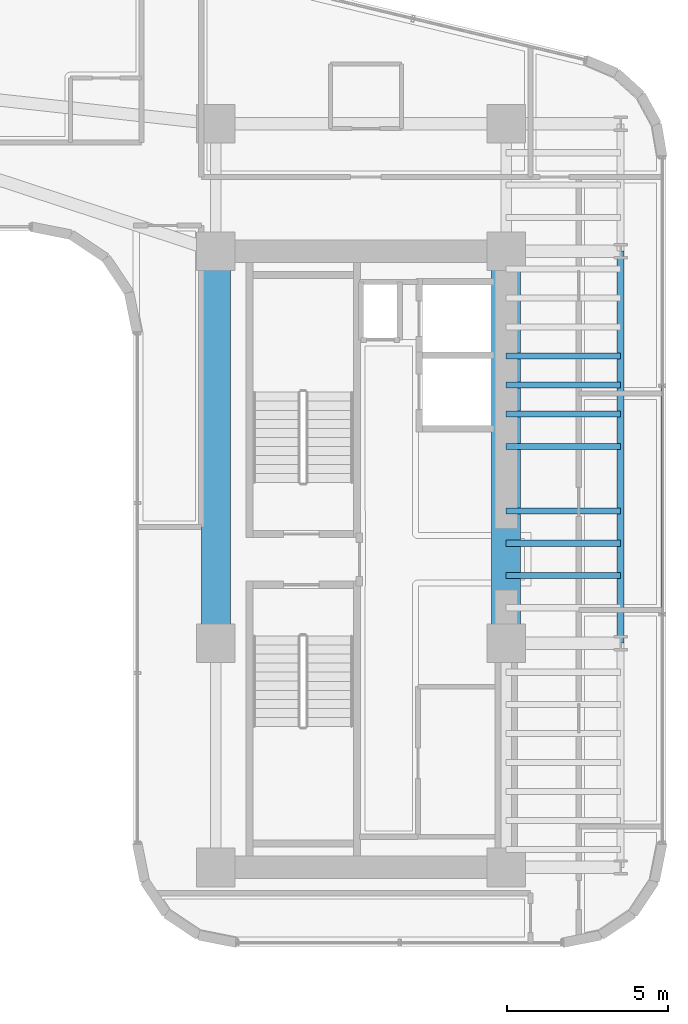
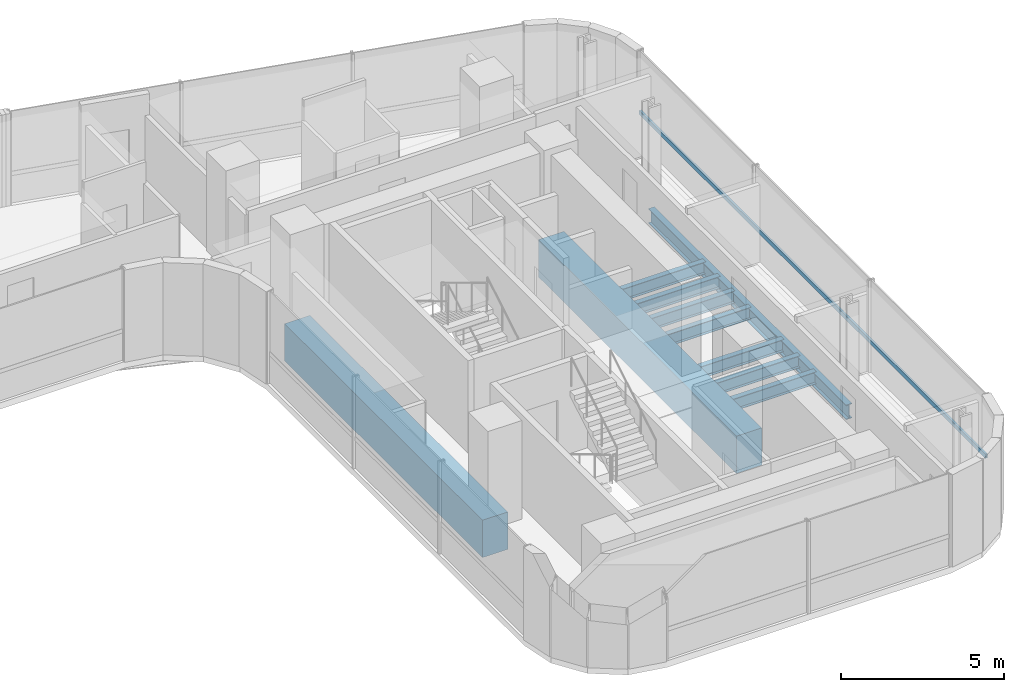
# One storey, part 16 of 35: 10 beams, 1 member, 1 element without a shape of its own.
"""IFC4 building model written with IfcOpenShell, lengths in metres."""

from ifc_helpers import new_model, si_unit, direction, frame, origin, origin_2d, place, context, subcontext, project, spatial, rectangle, hollow_rectangle, i_section, extrude, source, transform, mapped, material, material_profile, profile_set, type_object, element, aggregate, save


model = new_model("IFC4")

# Units and contexts
model_context = context("Model", 3, precision=1e-05, world=origin(), true_north=direction((0.0, 1.0)))
body_context = subcontext(model_context, "Body", "Model", "MODEL_VIEW")
ifc_project = project(units=[si_unit("LENGTHUNIT", "METRE"), si_unit("AREAUNIT", "SQUARE_METRE"), si_unit("VOLUMEUNIT", "CUBIC_METRE"), si_unit("PLANEANGLEUNIT", "RADIAN"), si_unit("MASSUNIT", "GRAM", prefix="KILO")], contexts=[model_context])

# Site, building, storey
site_placement = place(None, origin())
site = spatial("IfcSite", under=ifc_project, at=site_placement, CompositionType="ELEMENT")
building_placement = place(site_placement, origin())
building = spatial("IfcBuilding", under=site, at=building_placement, Name="Valdorenza Pilgrim Sanctuary Tower", CompositionType="ELEMENT")
storey_placement = place(building_placement, frame((0.0, 0.0, 113.10009765625)))
storey = spatial("IfcBuildingStorey", under=building, at=storey_placement, Name="L28", CompositionType="ELEMENT", Elevation=113.10009765625)

# Beams
ifc_material_1 = material(Name="Concrete C60/75", Category="concrete")
ifc_material_profile_1 = material_profile(ifc_material_1, rectangle(XDim=0.89990234375, YDim=1.39990234375, at=origin_2d()), Name="RC 1400x900")
ifc_profile_set_1 = profile_set([ifc_material_profile_1], Name="Concrete C60/75")
beam_type_1 = type_object("IfcBeamType", Name="STR-BM-LNT-1400", PredefinedType="LINTEL", material=ifc_profile_set_1)
shared_shape_1 = source(origin(), body_context, "Body", "SweptSolid", [
    extrude(rectangle(XDim=0.89990234375, YDim=1.39990234375, at=origin_2d()), origin(), (0.0, 0.0, 1.0), 12.150146484375),
])
for number, where, z_axis, x_axis, name in (
    (1, (15.85009765625, -2.60009765625, -0.739990234375), (0.0, 1.0, 0.0), (-1.0, 0.0, 0.0), "L28 Core B West Coupling Lintel Girder"),
    (2, (24.85009765625, -2.60009765625, -0.739990234375), (0.0, 1.0, 0.0), (-1.0, 0.0, 0.0), "L28 Core B East Coupling Lintel Girder"),
):
    element("IfcBeam", number, at=place(storey_placement, frame(where, z_axis=z_axis, x_axis=x_axis)), inside=storey, type_object=beam_type_1, Name=name, PredefinedType="LINTEL", context=body_context, shape_type="MappedRepresentation", body=[
        mapped(shared_shape_1, transform((0.0, 0.0, 0.0), x_axis=(1.0, 0.0, 0.0), y_axis=(0.0, 1.0, 0.0), z_axis=(0.0, 0.0, 1.0), scale=1.0)),
    ])
ifc_material_2 = material(Name="Steel ASTM A992 Grade 50", Category="steel")
ifc_material_profile_2 = material_profile(ifc_material_2, i_section(OverallWidth=0.214111328125, OverallDepth=0.549072265625, WebThickness=0.0146484375, FlangeThickness=0.023681640625, at=origin_2d()), Name="W21X93")
ifc_profile_set_2 = profile_set([ifc_material_profile_2], Name="Steel ASTM A992 Grade 50")
beam_type_2 = type_object("IfcBeamType", Name="STR-BM-SPN-W21A", PredefinedType="SPANDREL", material=ifc_profile_set_2)
shared_shape_2 = source(origin(), body_context, "Body", "SweptSolid", [
    extrude(i_section(OverallWidth=0.214111328125, OverallDepth=0.549072265625, WebThickness=0.0146484375, FlangeThickness=0.023681640625, at=origin_2d()), origin(), (0.0, 0.0, 1.0), 12.150146484375),
])
beam_placement = place(storey_placement, frame((28.39990234375, -2.60009765625, -0.5146484375), z_axis=(0.0, 1.0, 0.0), x_axis=(-1.0, 0.0, 0.0)))
element("IfcBeam", 3, at=beam_placement, inside=storey, type_object=beam_type_2, Name="L28 Spandrel Beam WB-E-M0N1", PredefinedType="SPANDREL", context=body_context, shape_type="MappedRepresentation", body=[
    mapped(shared_shape_2, transform((0.0, 0.0, 0.0), x_axis=(1.0, 0.0, 0.0), y_axis=(0.0, 1.0, 0.0), z_axis=(0.0, 0.0, 1.0), scale=1.0)),
])
ifc_material_profile_3 = material_profile(ifc_material_2, i_section(OverallWidth=0.19091796875, OverallDepth=0.45703125, WebThickness=0.009033203125, FlangeThickness=0.014404296875, at=origin_2d()), Name="W18X50")
ifc_profile_set_3 = profile_set([ifc_material_profile_3], Name="Steel ASTM A992 Grade 50")
beam_type_3 = type_object("IfcBeamType", Name="STR-BM-JST-W18B", PredefinedType="JOIST", material=ifc_profile_set_3)
shared_shape_3 = source(origin(), body_context, "Body", "SweptSolid", [
    extrude(i_section(OverallWidth=0.19091796875, OverallDepth=0.45703125, WebThickness=0.009033203125, FlangeThickness=0.014404296875, at=origin_2d()), origin(), (0.0, 0.0, 1.0), 3.5498046875),
])
for number, where, z_axis, x_axis, name in (
    (4, (24.85009765625, -0.5, -0.468505859375), (1.0, 0.0, 0.0), (0.0, 1.0, 0.0), "L28 Composite Floor Joist JST-WB-9"),
    (5, (24.85009765625, 0.5, -0.468505859375), (1.0, 0.0, 0.0), (0.0, 1.0, 0.0), "L28 Composite Floor Joist JST-WB-10"),
    (6, (24.85009765625, 1.5, -0.468505859375), (1.0, 0.0, 0.0), (0.0, 1.0, 0.0), "L28 Composite Floor Joist JST-WB-11"),
    (7, (24.85009765625, 3.5, -0.468505859375), (1.0, 0.0, 0.0), (0.0, 1.0, 0.0), "L28 Composite Floor Joist JST-WB-12"),
    (8, (24.85009765625, 4.5, -0.468505859375), (1.0, 0.0, 0.0), (0.0, 1.0, 0.0), "L28 Composite Floor Joist JST-WB-13"),
    (9, (24.85009765625, 5.39990234375, -0.468505859375), (1.0, 0.0, 0.0), (0.0, 1.0, 0.0), "L28 Composite Floor Joist JST-WB-14"),
    (10, (24.85009765625, 6.300048828125, -0.468505859375), (1.0, 0.0, 0.0), (0.0, 1.0, 0.0), "L28 Composite Floor Joist JST-WB-15"),
):
    element("IfcBeam", number, at=place(storey_placement, frame(where, z_axis=z_axis, x_axis=x_axis)), inside=storey, type_object=beam_type_3, Name=name, PredefinedType="JOIST", context=body_context, shape_type="MappedRepresentation", body=[
        mapped(shared_shape_3, transform((0.0, 0.0, 0.0), x_axis=(1.0, 0.0, 0.0), y_axis=(0.0, 1.0, 0.0), z_axis=(0.0, 0.0, 1.0), scale=1.0)),
    ])

# Curtain wall, member
ifc_material_3 = material(Name="Curtain-wall IGU glazing", Category="glass")
curtain_wall_type = type_object("IfcCurtainWallType", Name="CW-SYS-03", PredefinedType="NOTDEFINED", material=ifc_material_3)
curtain_wall_placement = place(storey_placement, origin())
curtain_wall = element("IfcCurtainWall", 11, at=curtain_wall_placement, inside=storey, type_object=curtain_wall_type, Name="L28 Curtain Wall CW-L28-1-21", PredefinedType="NOTDEFINED")
ifc_material_4 = material(Name="Anodised aluminium AW-6060", Category="aluminium")
ifc_material_profile_4 = material_profile(ifc_material_4, hollow_rectangle(XDim=0.074951171875, YDim=0.159912109375, WallThickness=0.00390625, at=origin_2d()), Name="ALU-T 160x75x4")
ifc_profile_set_4 = profile_set([ifc_material_profile_4], Name="Anodised aluminium AW-6060")
member_type = type_object("IfcMemberType", Name="CW-TRN-03", PredefinedType="USERDEFINED", material=ifc_profile_set_4)
shared_shape_4 = source(origin(), body_context, "Body", "SweptSolid", [
    extrude(hollow_rectangle(XDim=0.074951171875, YDim=0.159912109375, WallThickness=0.00390625, at=origin_2d()), origin(), (0.0, 0.0, 1.0), 21.255615234375),
])
member_placement = place(storey_placement, frame((29.68994140625, 12.46630859375, 1.119873046875), z_axis=(0.0, -1.0, 0.0), x_axis=(1.0, 0.0, 0.0)))
member = element("IfcMember", 12, at=member_placement, type_object=member_type, Name="CW-L28-1-21 Transom 1", ObjectType="TRANSOM", PredefinedType="USERDEFINED", context=body_context, shape_type="MappedRepresentation", body=[
    mapped(shared_shape_4, transform((0.0, 0.0, 0.0), x_axis=(1.0, 0.0, 0.0), y_axis=(0.0, 1.0, 0.0), z_axis=(0.0, 0.0, 1.0), scale=1.0)),
])
aggregate(curtain_wall, [member])

save(model, "model.ifc")
